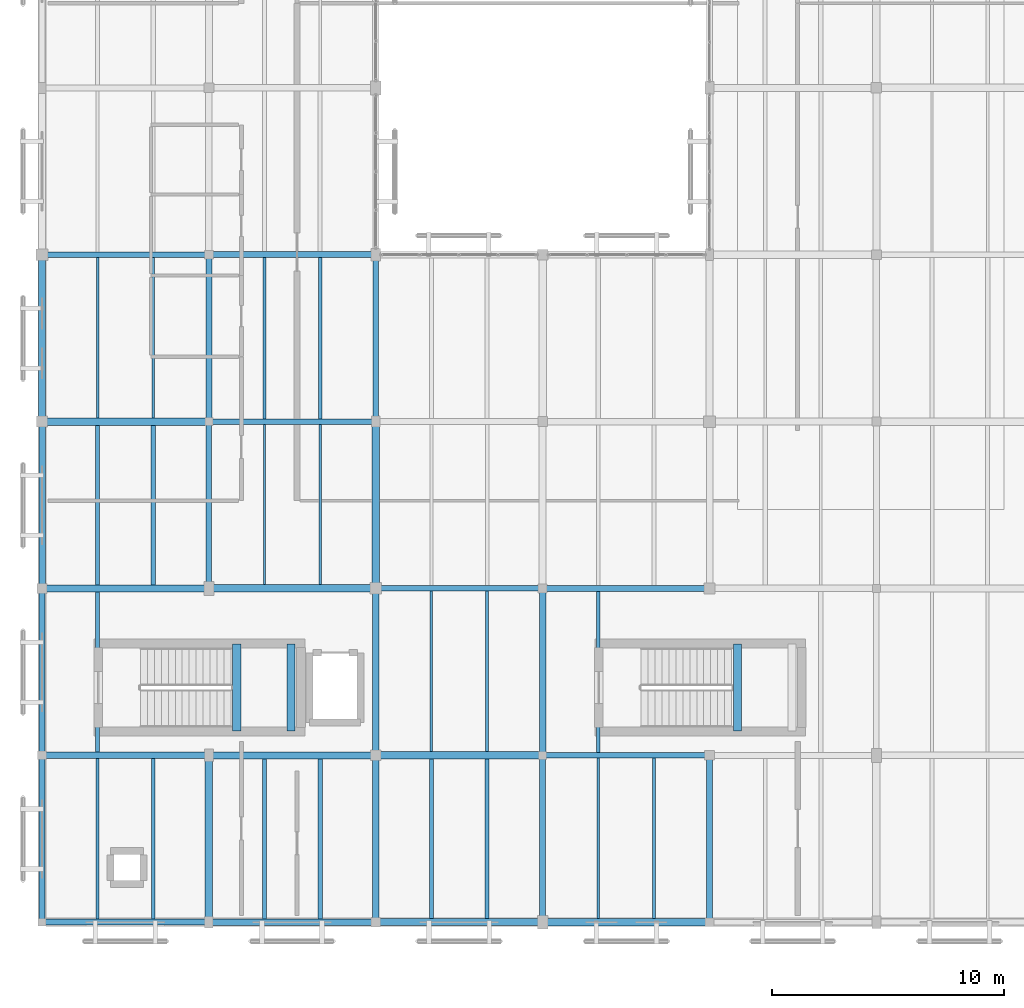
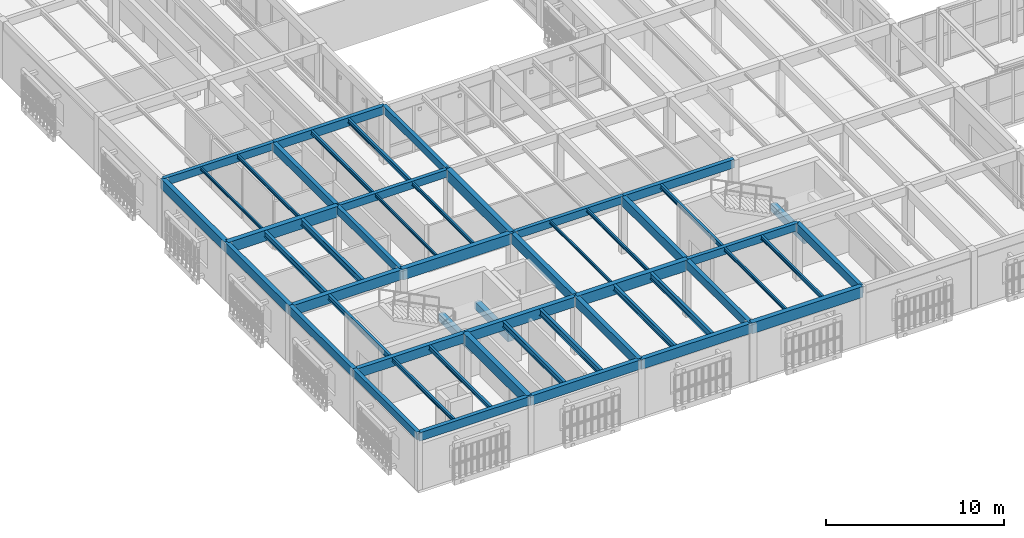
# One storey, part 12 of 112: 53 beams.
"""IFC4 building model written with IfcOpenShell, lengths in metres."""

from ifc_helpers import new_model, si_unit, direction, frame, origin, origin_2d, place, context, subcontext, project, spatial, rectangle, i_section, extrude, material, material_profile, profile_set, type_object, element, save


model = new_model("IFC4")

# Units and contexts
model_context = context("Model", 3, precision=1e-05, world=origin(), true_north=direction((0.0, 1.0)))
body_context = subcontext(model_context, "Body", "Model", "MODEL_VIEW")
ifc_project = project(units=[si_unit("LENGTHUNIT", "METRE"), si_unit("AREAUNIT", "SQUARE_METRE"), si_unit("VOLUMEUNIT", "CUBIC_METRE"), si_unit("PLANEANGLEUNIT", "RADIAN"), si_unit("MASSUNIT", "GRAM", prefix="KILO")], contexts=[model_context])

# Site, building, storey
site_placement = place(None, origin())
site = spatial("IfcSite", under=ifc_project, at=site_placement, CompositionType="ELEMENT")
building_placement = place(site_placement, origin())
building = spatial("IfcBuilding", under=site, at=building_placement, Name="Mazaris Harbour Polytechnic", CompositionType="ELEMENT")
storey_placement = place(building_placement, frame((0.0, 0.0, 13.800048828125)))
storey = spatial("IfcBuildingStorey", under=building, at=storey_placement, Name="L03", CompositionType="ELEMENT", Elevation=13.800048828125)

# Beams
ifc_material_1 = material(Name="Glulam GL32h", Category="wood")
ifc_material_profile_1 = material_profile(ifc_material_1, rectangle(XDim=0.239990234375, YDim=0.52001953125, at=origin_2d()), Name="RECT240x520")
ifc_profile_set_1 = profile_set([ifc_material_profile_1], Name="Glulam GL32h")
beam_type_1 = type_object("IfcBeamType", Name="Glulam Girder 240x520", PredefinedType="BEAM", material=ifc_profile_set_1)
beam_1_placement = place(storey_placement, frame((21.60009765625, 14.39990234375, 3.659912109375), z_axis=(1.0, 0.0, 0.0), x_axis=(0.0, 1.0, 0.0)))
element("IfcBeam", 1, at=beam_1_placement, inside=storey, type_object=beam_type_1, Name="V4 L03 Girder 2175", PredefinedType="BEAM", context=body_context, shape_type="SweptSolid", body=[
    extrude(rectangle(XDim=0.239990234375, YDim=0.52001953125, at=origin_2d()), origin(), (0.0, 0.0, 1.0), 7.199951171875),
])
beam_2_placement = place(storey_placement, frame((14.39990234375, 21.60009765625, 3.659912109375), z_axis=(1.0, 0.0, 0.0), x_axis=(0.0, 1.0, 0.0)))
element("IfcBeam", 2, at=beam_2_placement, inside=storey, type_object=beam_type_1, Name="V4 L03 Girder 2180", PredefinedType="BEAM", context=body_context, shape_type="SweptSolid", body=[
    extrude(rectangle(XDim=0.239990234375, YDim=0.52001953125, at=origin_2d()), origin(), (0.0, 0.0, 1.0), 7.2001953125),
])
for number, where, z_axis, x_axis, name in (
    (3, (7.199951171875, 28.800048828125, 3.659912109375), (1.0, 0.0, 0.0), (0.0, 1.0, 0.0), "V4 L03 Girder 2185"),
    (4, (0.0, 36.0, 3.659912109375), (1.0, 0.0, 0.0), (0.0, 1.0, 0.0), "V4 L03 Girder 2190"),
    (5, (7.199951171875, 21.60009765625, 3.659912109375), (0.0, 1.0, 0.0), (-1.0, 0.0, 0.0), "V4 L03 Tie Girder 2230"),
    (6, (14.39990234375, 28.800048828125, 3.659912109375), (0.0, 1.0, 0.0), (-1.0, 0.0, 0.0), "V4 L03 Tie Girder 2240"),
):
    element("IfcBeam", number, at=place(storey_placement, frame(where, z_axis=z_axis, x_axis=x_axis)), inside=storey, type_object=beam_type_1, Name=name, PredefinedType="BEAM", context=body_context, shape_type="SweptSolid", body=[
        extrude(rectangle(XDim=0.239990234375, YDim=0.52001953125, at=origin_2d()), origin(), (0.0, 0.0, 1.0), 7.199951171875),
    ])
ifc_material_2 = material(Name="Glulam GL32h", Category="wood")
ifc_material_profile_2 = material_profile(ifc_material_2, rectangle(XDim=0.239990234375, YDim=0.52001953125, at=origin_2d()), Name="RECT240x520")
ifc_profile_set_2 = profile_set([ifc_material_profile_2], Name="Glulam GL32h")
beam_type_2 = type_object("IfcBeamType", Name="Glulam Girder 240x520 Exterior", PredefinedType="BEAM", material=ifc_profile_set_2)
beam_3_placement = place(storey_placement, frame((0.0, 7.199951171875, 3.659912109375), z_axis=(0.0, 1.0, 0.0), x_axis=(-1.0, 0.0, 0.0)))
element("IfcBeam", 7, at=beam_3_placement, inside=storey, type_object=beam_type_2, Name="V4 L03 Tie Girder 2220", PredefinedType="BEAM", context=body_context, shape_type="SweptSolid", body=[
    extrude(rectangle(XDim=0.239990234375, YDim=0.52001953125, at=origin_2d()), origin(), (0.0, 0.0, 1.0), 7.199951171875),
])
ifc_material_3 = material(Name="Glulam GL32h", Category="wood")
ifc_material_profile_3 = material_profile(ifc_material_3, rectangle(XDim=0.260009765625, YDim=0.580078125, at=origin_2d()), Name="RECT260x580")
ifc_profile_set_3 = profile_set([ifc_material_profile_3], Name="Glulam GL32h")
beam_type_3 = type_object("IfcBeamType", Name="Glulam Girder 260x580", PredefinedType="BEAM", material=ifc_profile_set_3)
for number, where, z_axis, x_axis, name in (
    (8, (21.60009765625, 21.60009765625, 3.6298828125), (1.0, 0.0, 0.0), (0.0, 1.0, 0.0), "V4 L03 Girder 2181"),
    (9, (7.199951171875, 36.0, 3.6298828125), (1.0, 0.0, 0.0), (0.0, 1.0, 0.0), "V4 L03 Girder 2191"),
    (10, (7.199951171875, 28.800048828125, 3.6298828125), (0.0, 1.0, 0.0), (-1.0, 0.0, 0.0), "V4 L03 Tie Girder 2231"),
    (11, (21.60009765625, 7.199951171875, 3.6298828125), (0.0, 1.0, 0.0), (-1.0, 0.0, 0.0), "V4 L03 Tie Girder 2246"),
    (12, (28.800048828125, 7.199951171875, 3.6298828125), (0.0, 1.0, 0.0), (-1.0, 0.0, 0.0), "V4 L03 Tie Girder 2251"),
):
    element("IfcBeam", number, at=place(storey_placement, frame(where, z_axis=z_axis, x_axis=x_axis)), inside=storey, type_object=beam_type_3, Name=name, PredefinedType="BEAM", context=body_context, shape_type="SweptSolid", body=[
        extrude(rectangle(XDim=0.260009765625, YDim=0.580078125, at=origin_2d()), origin(), (0.0, 0.0, 1.0), 7.199951171875),
    ])
ifc_material_4 = material(Name="Glulam GL32h", Category="wood")
ifc_material_profile_4 = material_profile(ifc_material_4, rectangle(XDim=0.260009765625, YDim=0.580078125, at=origin_2d()), Name="RECT260x580")
ifc_profile_set_4 = profile_set([ifc_material_profile_4], Name="Glulam GL32h")
beam_type_4 = type_object("IfcBeamType", Name="Glulam Girder 260x580 Exterior", PredefinedType="BEAM", material=ifc_profile_set_4)
beam_4_placement = place(storey_placement, frame((0.0, 7.199951171875, 3.6298828125), z_axis=(1.0, 0.0, 0.0), x_axis=(0.0, 1.0, 0.0)))
element("IfcBeam", 13, at=beam_4_placement, inside=storey, type_object=beam_type_4, Name="V4 L03 Girder 2166", PredefinedType="BEAM", context=body_context, shape_type="SweptSolid", body=[
    extrude(rectangle(XDim=0.260009765625, YDim=0.580078125, at=origin_2d()), origin(), (0.0, 0.0, 1.0), 7.199951171875),
])
beam_5_placement = place(storey_placement, frame((0.0, 14.39990234375, 3.6298828125), z_axis=(0.0, 1.0, 0.0), x_axis=(-1.0, 0.0, 0.0)))
element("IfcBeam", 14, at=beam_5_placement, inside=storey, type_object=beam_type_4, Name="V4 L03 Tie Girder 2221", PredefinedType="BEAM", context=body_context, shape_type="SweptSolid", body=[
    extrude(rectangle(XDim=0.260009765625, YDim=0.580078125, at=origin_2d()), origin(), (0.0, 0.0, 1.0), 7.2001953125),
])
ifc_material_5 = material(Name="Glulam GL32h", Category="wood")
ifc_material_profile_5 = material_profile(ifc_material_5, rectangle(XDim=0.280029296875, YDim=0.639892578125, at=origin_2d()), Name="RECT280x640")
ifc_profile_set_5 = profile_set([ifc_material_profile_5], Name="Glulam GL32h")
beam_type_5 = type_object("IfcBeamType", Name="Glulam Girder 280x640", PredefinedType="BEAM", material=ifc_profile_set_5)
for number, where, z_axis, x_axis, name in (
    (15, (0.0, 14.39990234375, 3.599853515625), (1.0, 0.0, 0.0), (0.0, 1.0, 0.0), "V4 L03 Girder 2172"),
    (16, (14.39990234375, 7.199951171875, 3.599853515625), (0.0, 1.0, 0.0), (-1.0, 0.0, 0.0), "V4 L03 Tie Girder 2237"),
):
    element("IfcBeam", number, at=place(storey_placement, frame(where, z_axis=z_axis, x_axis=x_axis)), inside=storey, type_object=beam_type_5, Name=name, PredefinedType="BEAM", context=body_context, shape_type="SweptSolid", body=[
        extrude(rectangle(XDim=0.280029296875, YDim=0.639892578125, at=origin_2d()), origin(), (0.0, 0.0, 1.0), 7.199951171875),
    ])
beam_6_placement = place(storey_placement, frame((21.60009765625, 14.39990234375, 3.599853515625), z_axis=(0.0, 1.0, 0.0), x_axis=(-1.0, 0.0, 0.0)))
element("IfcBeam", 17, at=beam_6_placement, inside=storey, type_object=beam_type_5, Name="V4 L03 Tie Girder 2247", PredefinedType="BEAM", context=body_context, shape_type="SweptSolid", body=[
    extrude(rectangle(XDim=0.280029296875, YDim=0.639892578125, at=origin_2d()), origin(), (0.0, 0.0, 1.0), 7.2001953125),
])
ifc_material_6 = material(Name="Glulam GL32h", Category="wood")
ifc_material_profile_6 = material_profile(ifc_material_6, rectangle(XDim=0.280029296875, YDim=0.639892578125, at=origin_2d()), Name="RECT280x640")
ifc_profile_set_6 = profile_set([ifc_material_profile_6], Name="Glulam GL32h")
beam_type_6 = type_object("IfcBeamType", Name="Glulam Girder 280x640 Exterior", PredefinedType="BEAM", material=ifc_profile_set_6)
for number, where, z_axis, x_axis, name in (
    (18, (7.199951171875, 7.199951171875, 3.599853515625), (1.0, 0.0, 0.0), (0.0, 1.0, 0.0), "V4 L03 Girder 2167"),
    (19, (0.0, 21.60009765625, 3.599853515625), (0.0, 1.0, 0.0), (-1.0, 0.0, 0.0), "V4 L03 Tie Girder 2222"),
):
    element("IfcBeam", number, at=place(storey_placement, frame(where, z_axis=z_axis, x_axis=x_axis)), inside=storey, type_object=beam_type_6, Name=name, PredefinedType="BEAM", context=body_context, shape_type="SweptSolid", body=[
        extrude(rectangle(XDim=0.280029296875, YDim=0.639892578125, at=origin_2d()), origin(), (0.0, 0.0, 1.0), 7.199951171875),
    ])
ifc_material_7 = material(Name="Glulam GL32h", Category="wood")
ifc_material_profile_7 = material_profile(ifc_material_7, rectangle(XDim=0.300048828125, YDim=0.679931640625, at=origin_2d()), Name="RECT300x680")
ifc_profile_set_7 = profile_set([ifc_material_profile_7], Name="Glulam GL32h")
beam_type_7 = type_object("IfcBeamType", Name="Glulam Girder 300x680", PredefinedType="BEAM", material=ifc_profile_set_7)
for number, where, z_axis, x_axis, name in (
    (20, (7.199951171875, 14.39990234375, 3.579833984375), (1.0, 0.0, 0.0), (0.0, 1.0, 0.0), "V4 L03 Girder 2173"),
    (21, (0.0, 21.60009765625, 3.579833984375), (1.0, 0.0, 0.0), (0.0, 1.0, 0.0), "V4 L03 Girder 2178"),
):
    element("IfcBeam", number, at=place(storey_placement, frame(where, z_axis=z_axis, x_axis=x_axis)), inside=storey, type_object=beam_type_7, Name=name, PredefinedType="BEAM", context=body_context, shape_type="SweptSolid", body=[
        extrude(rectangle(XDim=0.300048828125, YDim=0.679931640625, at=origin_2d()), origin(), (0.0, 0.0, 1.0), 7.199951171875),
    ])
beam_7_placement = place(storey_placement, frame((14.39990234375, 14.39990234375, 3.579833984375), z_axis=(0.0, 1.0, 0.0), x_axis=(-1.0, 0.0, 0.0)))
element("IfcBeam", 22, at=beam_7_placement, inside=storey, type_object=beam_type_7, Name="V4 L03 Tie Girder 2238", PredefinedType="BEAM", context=body_context, shape_type="SweptSolid", body=[
    extrude(rectangle(XDim=0.300048828125, YDim=0.679931640625, at=origin_2d()), origin(), (0.0, 0.0, 1.0), 7.2001953125),
])
ifc_material_8 = material(Name="Glulam GL32h", Category="wood")
ifc_material_profile_8 = material_profile(ifc_material_8, rectangle(XDim=0.300048828125, YDim=0.679931640625, at=origin_2d()), Name="RECT300x680")
ifc_profile_set_8 = profile_set([ifc_material_profile_8], Name="Glulam GL32h")
beam_type_8 = type_object("IfcBeamType", Name="Glulam Girder 300x680 Exterior", PredefinedType="BEAM", material=ifc_profile_set_8)
beam_8_placement = place(storey_placement, frame((14.39990234375, 7.199951171875, 3.579833984375), z_axis=(1.0, 0.0, 0.0), x_axis=(0.0, 1.0, 0.0)))
element("IfcBeam", 23, at=beam_8_placement, inside=storey, type_object=beam_type_8, Name="V4 L03 Girder 2168", PredefinedType="BEAM", context=body_context, shape_type="SweptSolid", body=[
    extrude(rectangle(XDim=0.300048828125, YDim=0.679931640625, at=origin_2d()), origin(), (0.0, 0.0, 1.0), 7.2001953125),
])
beam_9_placement = place(storey_placement, frame((0.0, 28.800048828125, 3.579833984375), z_axis=(0.0, 1.0, 0.0), x_axis=(-1.0, 0.0, 0.0)))
element("IfcBeam", 24, at=beam_9_placement, inside=storey, type_object=beam_type_8, Name="V4 L03 Tie Girder 2223", PredefinedType="BEAM", context=body_context, shape_type="SweptSolid", body=[
    extrude(rectangle(XDim=0.300048828125, YDim=0.679931640625, at=origin_2d()), origin(), (0.0, 0.0, 1.0), 7.199951171875),
])
ifc_material_9 = material(Name="Glulam GL32h", Category="wood")
ifc_material_profile_9 = material_profile(ifc_material_9, rectangle(XDim=0.320068359375, YDim=0.739990234375, at=origin_2d()), Name="RECT320x740")
ifc_profile_set_9 = profile_set([ifc_material_profile_9], Name="Glulam GL32h")
beam_type_9 = type_object("IfcBeamType", Name="Glulam Girder 320x740", PredefinedType="BEAM", material=ifc_profile_set_9)
beam_10_placement = place(storey_placement, frame((14.39990234375, 14.39990234375, 3.550048828125), z_axis=(1.0, 0.0, 0.0), x_axis=(0.0, 1.0, 0.0)))
element("IfcBeam", 25, at=beam_10_placement, inside=storey, type_object=beam_type_9, Name="V4 L03 Girder 2174", PredefinedType="BEAM", context=body_context, shape_type="SweptSolid", body=[
    extrude(rectangle(XDim=0.320068359375, YDim=0.739990234375, at=origin_2d()), origin(), (0.0, 0.0, 1.0), 7.2001953125),
])
for number, where, z_axis, x_axis, name in (
    (26, (7.199951171875, 21.60009765625, 3.550048828125), (1.0, 0.0, 0.0), (0.0, 1.0, 0.0), "V4 L03 Girder 2179"),
    (27, (0.0, 28.800048828125, 3.550048828125), (1.0, 0.0, 0.0), (0.0, 1.0, 0.0), "V4 L03 Girder 2184"),
    (28, (7.199951171875, 7.199951171875, 3.550048828125), (0.0, 1.0, 0.0), (-1.0, 0.0, 0.0), "V4 L03 Tie Girder 2229"),
    (29, (14.39990234375, 21.60009765625, 3.550048828125), (0.0, 1.0, 0.0), (-1.0, 0.0, 0.0), "V4 L03 Tie Girder 2239"),
):
    element("IfcBeam", number, at=place(storey_placement, frame(where, z_axis=z_axis, x_axis=x_axis)), inside=storey, type_object=beam_type_9, Name=name, PredefinedType="BEAM", context=body_context, shape_type="SweptSolid", body=[
        extrude(rectangle(XDim=0.320068359375, YDim=0.739990234375, at=origin_2d()), origin(), (0.0, 0.0, 1.0), 7.199951171875),
    ])
ifc_material_10 = material(Name="Glulam GL32h", Category="wood")
ifc_material_profile_10 = material_profile(ifc_material_10, rectangle(XDim=0.320068359375, YDim=0.739990234375, at=origin_2d()), Name="RECT320x740")
ifc_profile_set_10 = profile_set([ifc_material_profile_10], Name="Glulam GL32h")
beam_type_10 = type_object("IfcBeamType", Name="Glulam Girder 320x740 Exterior", PredefinedType="BEAM", material=ifc_profile_set_10)
beam_11_placement = place(storey_placement, frame((21.60009765625, 7.199951171875, 3.550048828125), z_axis=(1.0, 0.0, 0.0), x_axis=(0.0, 1.0, 0.0)))
element("IfcBeam", 30, at=beam_11_placement, inside=storey, type_object=beam_type_10, Name="V4 L03 Girder 2169", PredefinedType="BEAM", context=body_context, shape_type="SweptSolid", body=[
    extrude(rectangle(XDim=0.320068359375, YDim=0.739990234375, at=origin_2d()), origin(), (0.0, 0.0, 1.0), 7.199951171875),
])
ifc_material_11 = material(Name="Concrete C40/50", Category="concrete")
ifc_material_profile_11 = material_profile(ifc_material_11, rectangle(XDim=0.35009765625, YDim=0.52001953125, at=origin_2d()), Name="RECT350x520")
ifc_profile_set_11 = profile_set([ifc_material_profile_11], Name="Concrete C40/50")
beam_type_11 = type_object("IfcBeamType", Name="RC Landing Bearer 350x520", PredefinedType="BEAM", material=ifc_profile_set_11)
for number, where, z_axis, x_axis, name in (
    (31, (8.39990234375, 15.449951171875, 1.639892578125), (0.0, 1.0, 0.0), (-1.0, 0.0, 0.0), "Core ST07 L03 Landing Bearer"),
    (32, (10.75, 15.449951171875, 1.639892578125), (0.0, 1.0, 0.0), (-1.0, 0.0, 0.0), "Core ST07 L03 Landing Bearer"),
    (33, (30.0, 15.449951171875, 1.639892578125), (0.0, 1.0, 0.0), (-1.0, 0.0, 0.0), "Core ST08 L03 Landing Bearer"),
):
    element("IfcBeam", number, at=place(storey_placement, frame(where, z_axis=z_axis, x_axis=x_axis)), inside=storey, type_object=beam_type_11, Name=name, PredefinedType="BEAM", context=body_context, shape_type="SweptSolid", body=[
        extrude(rectangle(XDim=0.35009765625, YDim=0.52001953125, at=origin_2d()), origin(), (0.0, 0.0, 1.0), 3.75),
    ])
ifc_material_12 = material(Name="Steel S355", Category="steel")
ifc_material_profile_12 = material_profile(ifc_material_12, i_section(OverallWidth=0.10009765625, OverallDepth=0.199951171875, WebThickness=0.005615234375, FlangeThickness=0.008544921875, FilletRadius=0.011962890625, at=origin_2d()), Name="IPE 200")
ifc_profile_set_12 = profile_set([ifc_material_profile_12], Name="Steel S355")
beam_type_12 = type_object("IfcBeamType", Name="Steel Joist IPE200", PredefinedType="JOIST", material=ifc_profile_set_12)
for number, where, z_axis, x_axis, name in (
    (34, (2.39990234375, 28.9599609375, 3.820068359375), (0.0, 1.0, 0.0), (-1.0, 0.0, 0.0), "V4 L03 Floor Joist 2282"),
    (35, (9.60009765625, 21.760009765625, 3.820068359375), (0.0, 1.0, 0.0), (-1.0, 0.0, 0.0), "V4 L03 Floor Joist 2296"),
    (36, (16.800048828125, 14.56005859375, 3.820068359375), (0.0, 1.0, 0.0), (-1.0, 0.0, 0.0), "V4 L03 Floor Joist 2310"),
):
    element("IfcBeam", number, at=place(storey_placement, frame(where, z_axis=z_axis, x_axis=x_axis)), inside=storey, type_object=beam_type_12, Name=name, PredefinedType="JOIST", context=body_context, shape_type="SweptSolid", body=[
        extrude(i_section(OverallWidth=0.10009765625, OverallDepth=0.199951171875, WebThickness=0.005615234375, FlangeThickness=0.008544921875, FilletRadius=0.011962890625, at=origin_2d()), origin(), (0.0, 0.0, 1.0), 6.919921875),
    ])
ifc_material_13 = material(Name="Steel S355", Category="steel")
ifc_material_profile_13 = material_profile(ifc_material_13, i_section(OverallWidth=0.1201171875, OverallDepth=0.239990234375, WebThickness=0.006103515625, FlangeThickness=0.009765625, FilletRadius=0.014892578125, at=origin_2d()), Name="IPE 240")
ifc_profile_set_13 = profile_set([ifc_material_profile_13], Name="Steel S355")
beam_type_13 = type_object("IfcBeamType", Name="Steel Joist IPE240", PredefinedType="JOIST", material=ifc_profile_set_13)
for number, where, z_axis, x_axis, name in (
    (37, (4.800048828125, 28.9599609375, 3.800048828125), (0.0, 1.0, 0.0), (-1.0, 0.0, 0.0), "V4 L03 Floor Joist 2283"),
    (38, (12.0, 21.760009765625, 3.800048828125), (0.0, 1.0, 0.0), (-1.0, 0.0, 0.0), "V4 L03 Floor Joist 2297"),
    (39, (19.199951171875, 14.56005859375, 3.800048828125), (0.0, 1.0, 0.0), (-1.0, 0.0, 0.0), "V4 L03 Floor Joist 2311"),
    (40, (24.0, 7.360107421875, 3.800048828125), (0.0, 1.0, 0.0), (-1.0, 0.0, 0.0), "V4 L03 Floor Joist 2318"),
):
    element("IfcBeam", number, at=place(storey_placement, frame(where, z_axis=z_axis, x_axis=x_axis)), inside=storey, type_object=beam_type_13, Name=name, PredefinedType="JOIST", context=body_context, shape_type="SweptSolid", body=[
        extrude(i_section(OverallWidth=0.1201171875, OverallDepth=0.239990234375, WebThickness=0.006103515625, FlangeThickness=0.009765625, FilletRadius=0.014892578125, at=origin_2d()), origin(), (0.0, 0.0, 1.0), 6.919921875),
    ])
ifc_material_14 = material(Name="Steel S355", Category="steel")
ifc_material_profile_14 = material_profile(ifc_material_14, i_section(OverallWidth=0.135009765625, OverallDepth=0.27001953125, WebThickness=0.006591796875, FlangeThickness=0.01025390625, FilletRadius=0.014892578125, at=origin_2d()), Name="IPE 270")
ifc_profile_set_14 = profile_set([ifc_material_profile_14], Name="Steel S355")
beam_type_14 = type_object("IfcBeamType", Name="Steel Joist IPE270", PredefinedType="JOIST", material=ifc_profile_set_14)
beam_12_placement = place(storey_placement, frame((2.39990234375, 7.330078125, 3.784912109375), z_axis=(0.0, 1.0, 0.0), x_axis=(-1.0, 0.0, 0.0)))
element("IfcBeam", 41, at=beam_12_placement, inside=storey, type_object=beam_type_14, Name="V4 L03 Floor Joist 2277", PredefinedType="JOIST", context=body_context, shape_type="SweptSolid", body=[
    extrude(i_section(OverallWidth=0.135009765625, OverallDepth=0.27001953125, WebThickness=0.006591796875, FlangeThickness=0.01025390625, FilletRadius=0.014892578125, at=origin_2d()), origin(), (0.0, 0.0, 1.0), 6.929931640625),
])
beam_13_placement = place(storey_placement, frame((9.60009765625, 28.919921875, 3.784912109375), z_axis=(0.0, 1.0, 0.0), x_axis=(-1.0, 0.0, 0.0)))
element("IfcBeam", 42, at=beam_13_placement, inside=storey, type_object=beam_type_14, Name="V4 L03 Floor Joist 2298", PredefinedType="JOIST", context=body_context, shape_type="SweptSolid", body=[
    extrude(i_section(OverallWidth=0.135009765625, OverallDepth=0.27001953125, WebThickness=0.006591796875, FlangeThickness=0.01025390625, FilletRadius=0.014892578125, at=origin_2d()), origin(), (0.0, 0.0, 1.0), 6.9501953125),
])
beam_14_placement = place(storey_placement, frame((26.39990234375, 7.360107421875, 3.784912109375), z_axis=(0.0, 1.0, 0.0), x_axis=(-1.0, 0.0, 0.0)))
element("IfcBeam", 43, at=beam_14_placement, inside=storey, type_object=beam_type_14, Name="V4 L03 Floor Joist 2319", PredefinedType="JOIST", context=body_context, shape_type="SweptSolid", body=[
    extrude(i_section(OverallWidth=0.135009765625, OverallDepth=0.27001953125, WebThickness=0.006591796875, FlangeThickness=0.01025390625, FilletRadius=0.014892578125, at=origin_2d()), origin(), (0.0, 0.0, 1.0), 6.919921875),
])
ifc_material_15 = material(Name="Steel S355", Category="steel")
ifc_material_profile_15 = material_profile(ifc_material_15, i_section(OverallWidth=0.14990234375, OverallDepth=0.300048828125, WebThickness=0.007080078125, FlangeThickness=0.0107421875, FilletRadius=0.014892578125, at=origin_2d()), Name="IPE 300")
ifc_profile_set_15 = profile_set([ifc_material_profile_15], Name="Steel S355")
beam_type_15 = type_object("IfcBeamType", Name="Steel Joist IPE300", PredefinedType="JOIST", material=ifc_profile_set_15)
beam_15_placement = place(storey_placement, frame((4.800048828125, 7.330078125, 3.77001953125), z_axis=(0.0, 1.0, 0.0), x_axis=(-1.0, 0.0, 0.0)))
element("IfcBeam", 44, at=beam_15_placement, inside=storey, type_object=beam_type_15, Name="V4 L03 Floor Joist 2278", PredefinedType="JOIST", context=body_context, shape_type="SweptSolid", body=[
    extrude(i_section(OverallWidth=0.14990234375, OverallDepth=0.300048828125, WebThickness=0.007080078125, FlangeThickness=0.0107421875, FilletRadius=0.014892578125, at=origin_2d()), origin(), (0.0, 0.0, 1.0), 6.929931640625),
])
beam_16_placement = place(storey_placement, frame((12.0, 28.919921875, 3.77001953125), z_axis=(0.0, 1.0, 0.0), x_axis=(-1.0, 0.0, 0.0)))
element("IfcBeam", 45, at=beam_16_placement, inside=storey, type_object=beam_type_15, Name="V4 L03 Floor Joist 2299", PredefinedType="JOIST", context=body_context, shape_type="SweptSolid", body=[
    extrude(i_section(OverallWidth=0.14990234375, OverallDepth=0.300048828125, WebThickness=0.007080078125, FlangeThickness=0.0107421875, FilletRadius=0.014892578125, at=origin_2d()), origin(), (0.0, 0.0, 1.0), 6.9501953125),
])
beam_17_placement = place(storey_placement, frame((24.0, 14.52001953125, 3.77001953125), z_axis=(0.0, 1.0, 0.0), x_axis=(-1.0, 0.0, 0.0)))
element("IfcBeam", 46, at=beam_17_placement, inside=storey, type_object=beam_type_15, Name="V4 L03 Floor Joist 2320", PredefinedType="JOIST", context=body_context, shape_type="SweptSolid", body=[
    extrude(i_section(OverallWidth=0.14990234375, OverallDepth=0.300048828125, WebThickness=0.007080078125, FlangeThickness=0.0107421875, FilletRadius=0.014892578125, at=origin_2d()), origin(), (0.0, 0.0, 1.0), 6.949951171875),
])
ifc_material_16 = material(Name="Steel S355", Category="steel")
ifc_material_profile_16 = material_profile(ifc_material_16, i_section(OverallWidth=0.169921875, OverallDepth=0.360107421875, WebThickness=0.008056640625, FlangeThickness=0.0126953125, FilletRadius=0.01806640625, at=origin_2d()), Name="IPE 360")
ifc_profile_set_16 = profile_set([ifc_material_profile_16], Name="Steel S355")
beam_type_16 = type_object("IfcBeamType", Name="Steel Joist IPE360", PredefinedType="JOIST", material=ifc_profile_set_16)
beam_18_placement = place(storey_placement, frame((2.39990234375, 14.5400390625, 3.739990234375), z_axis=(0.0, 1.0, 0.0), x_axis=(-1.0, 0.0, 0.0)))
element("IfcBeam", 47, at=beam_18_placement, inside=storey, type_object=beam_type_16, Name="V4 L03 Floor Joist 2279", PredefinedType="JOIST", context=body_context, shape_type="SweptSolid", body=[
    extrude(i_section(OverallWidth=0.169921875, OverallDepth=0.360107421875, WebThickness=0.008056640625, FlangeThickness=0.0126953125, FilletRadius=0.01806640625, at=origin_2d()), origin(), (0.0, 0.0, 1.0), 6.909912109375),
])
ifc_material_17 = material(Name="Steel S355", Category="steel")
ifc_material_profile_17 = material_profile(ifc_material_17, i_section(OverallWidth=0.179931640625, OverallDepth=0.39990234375, WebThickness=0.008544921875, FlangeThickness=0.013427734375, FilletRadius=0.02099609375, at=origin_2d()), Name="IPE 400")
ifc_profile_set_17 = profile_set([ifc_material_profile_17], Name="Steel S355")
beam_type_17 = type_object("IfcBeamType", Name="Steel Joist IPE400", PredefinedType="JOIST", material=ifc_profile_set_17)
beam_19_placement = place(storey_placement, frame((2.39990234375, 21.75, 3.719970703125), z_axis=(0.0, 1.0, 0.0), x_axis=(-1.0, 0.0, 0.0)))
element("IfcBeam", 48, at=beam_19_placement, inside=storey, type_object=beam_type_17, Name="V4 L03 Floor Joist 2280", PredefinedType="JOIST", context=body_context, shape_type="SweptSolid", body=[
    extrude(i_section(OverallWidth=0.179931640625, OverallDepth=0.39990234375, WebThickness=0.008544921875, FlangeThickness=0.013427734375, FilletRadius=0.02099609375, at=origin_2d()), origin(), (0.0, 0.0, 1.0), 6.889892578125),
])
beam_20_placement = place(storey_placement, frame((9.60009765625, 7.340087890625, 3.719970703125), z_axis=(0.0, 1.0, 0.0), x_axis=(-1.0, 0.0, 0.0)))
element("IfcBeam", 49, at=beam_20_placement, inside=storey, type_object=beam_type_17, Name="V4 L03 Floor Joist 2294", PredefinedType="JOIST", context=body_context, shape_type="SweptSolid", body=[
    extrude(i_section(OverallWidth=0.179931640625, OverallDepth=0.39990234375, WebThickness=0.008544921875, FlangeThickness=0.013427734375, FilletRadius=0.02099609375, at=origin_2d()), origin(), (0.0, 0.0, 1.0), 6.909912109375),
])
beam_21_placement = place(storey_placement, frame((16.800048828125, 7.35009765625, 3.719970703125), z_axis=(0.0, 1.0, 0.0), x_axis=(-1.0, 0.0, 0.0)))
element("IfcBeam", 50, at=beam_21_placement, inside=storey, type_object=beam_type_17, Name="V4 L03 Floor Joist 2308", PredefinedType="JOIST", context=body_context, shape_type="SweptSolid", body=[
    extrude(i_section(OverallWidth=0.179931640625, OverallDepth=0.39990234375, WebThickness=0.008544921875, FlangeThickness=0.013427734375, FilletRadius=0.02099609375, at=origin_2d()), origin(), (0.0, 0.0, 1.0), 6.889892578125),
])
ifc_material_18 = material(Name="Steel S355", Category="steel")
ifc_material_profile_18 = material_profile(ifc_material_18, i_section(OverallWidth=0.18994140625, OverallDepth=0.449951171875, WebThickness=0.009521484375, FlangeThickness=0.0146484375, FilletRadius=0.02099609375, at=origin_2d()), Name="IPE 450")
ifc_profile_set_18 = profile_set([ifc_material_profile_18], Name="Steel S355")
beam_type_18 = type_object("IfcBeamType", Name="Steel Joist IPE450", PredefinedType="JOIST", material=ifc_profile_set_18)
beam_22_placement = place(storey_placement, frame((4.800048828125, 21.75, 3.695068359375), z_axis=(0.0, 1.0, 0.0), x_axis=(-1.0, 0.0, 0.0)))
element("IfcBeam", 51, at=beam_22_placement, inside=storey, type_object=beam_type_18, Name="V4 L03 Floor Joist 2281", PredefinedType="JOIST", context=body_context, shape_type="SweptSolid", body=[
    extrude(i_section(OverallWidth=0.18994140625, OverallDepth=0.449951171875, WebThickness=0.009521484375, FlangeThickness=0.0146484375, FilletRadius=0.02099609375, at=origin_2d()), origin(), (0.0, 0.0, 1.0), 6.889892578125),
])
beam_23_placement = place(storey_placement, frame((12.0, 7.340087890625, 3.695068359375), z_axis=(0.0, 1.0, 0.0), x_axis=(-1.0, 0.0, 0.0)))
element("IfcBeam", 52, at=beam_23_placement, inside=storey, type_object=beam_type_18, Name="V4 L03 Floor Joist 2295", PredefinedType="JOIST", context=body_context, shape_type="SweptSolid", body=[
    extrude(i_section(OverallWidth=0.18994140625, OverallDepth=0.449951171875, WebThickness=0.009521484375, FlangeThickness=0.0146484375, FilletRadius=0.02099609375, at=origin_2d()), origin(), (0.0, 0.0, 1.0), 6.909912109375),
])
beam_24_placement = place(storey_placement, frame((19.199951171875, 7.35009765625, 3.695068359375), z_axis=(0.0, 1.0, 0.0), x_axis=(-1.0, 0.0, 0.0)))
element("IfcBeam", 53, at=beam_24_placement, inside=storey, type_object=beam_type_18, Name="V4 L03 Floor Joist 2309", PredefinedType="JOIST", context=body_context, shape_type="SweptSolid", body=[
    extrude(i_section(OverallWidth=0.18994140625, OverallDepth=0.449951171875, WebThickness=0.009521484375, FlangeThickness=0.0146484375, FilletRadius=0.02099609375, at=origin_2d()), origin(), (0.0, 0.0, 1.0), 6.889892578125),
])

save(model, "model.ifc")
